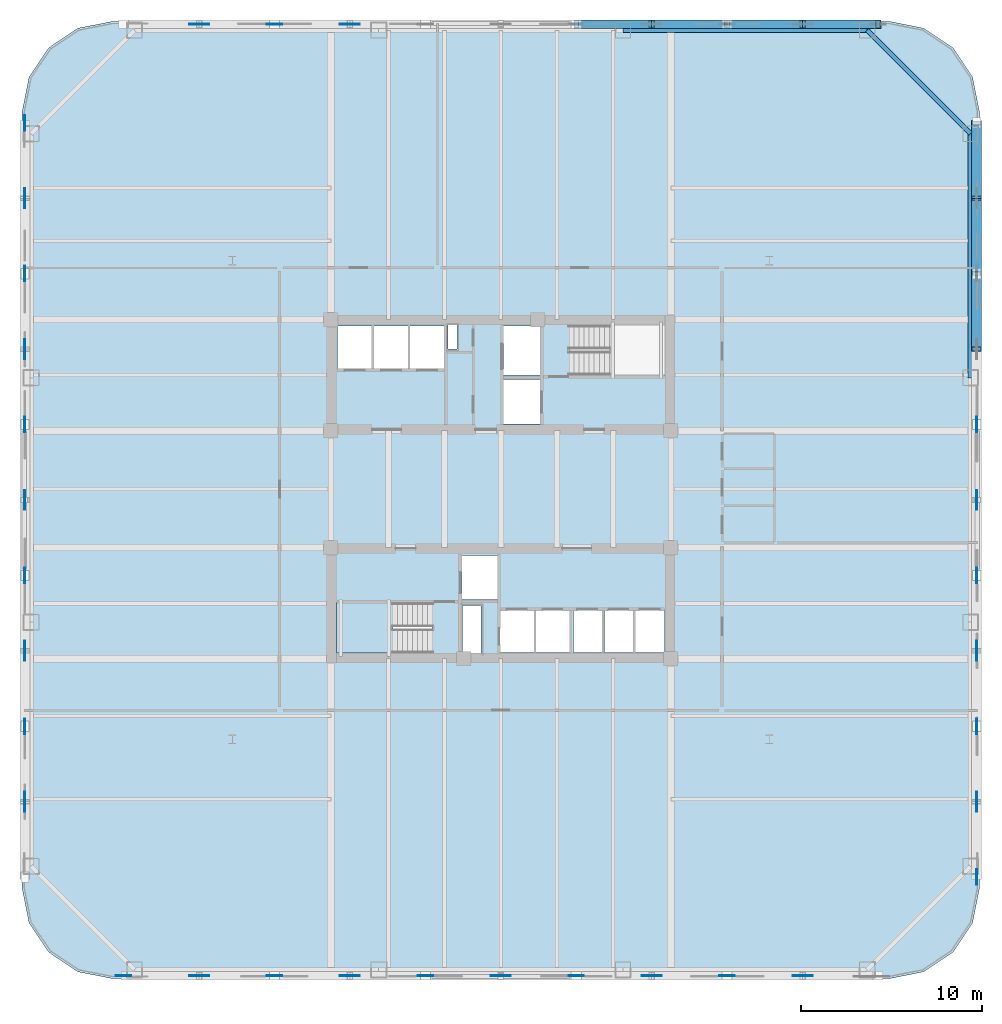
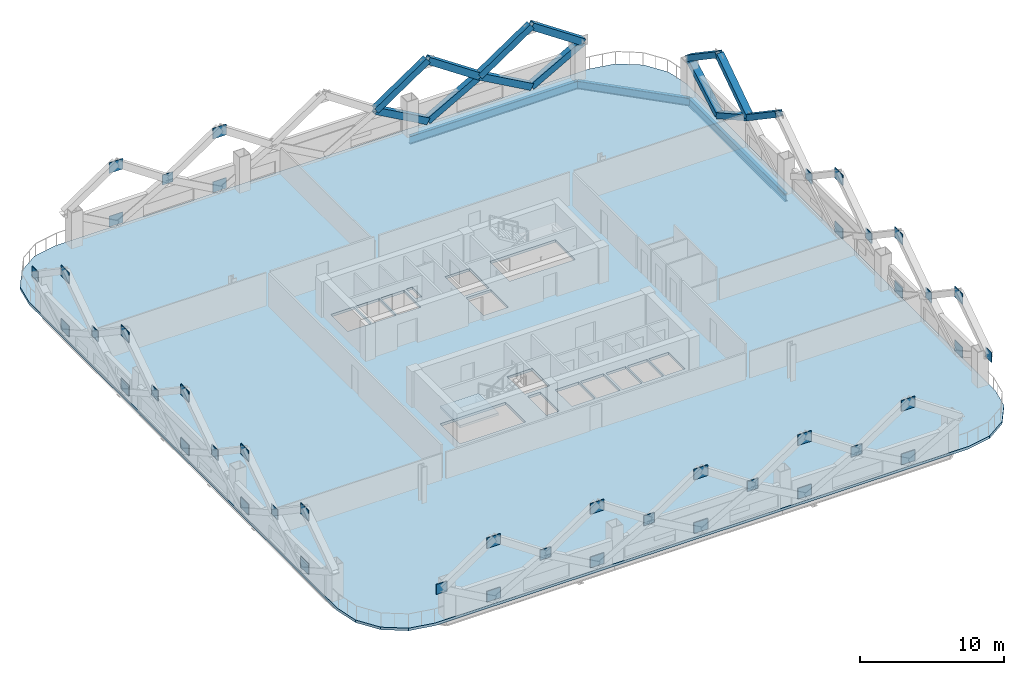
# One storey, part 3 of 13: 45 plates, 13 members, 3 beams, 2 slabs, 1 element without a shape of its own.
"""IFC4 building model written with IfcOpenShell, lengths in metres."""

from ifc_helpers import new_model, si_unit, direction, frame, origin, origin_2d, place, context, subcontext, project, spatial, polyline, rectangle, hollow_rectangle, i_section, outline, extrude, material, layer, layer_set, material_profile, profile_set, type_object, element, aggregate, save


model = new_model("IFC4")

# Units and contexts
model_context = context("Model", 3, precision=1e-05, world=origin(), true_north=direction((0.0, 1.0)))
body_context = subcontext(model_context, "Body", "Model", "MODEL_VIEW")
ifc_project = project(units=[si_unit("LENGTHUNIT", "METRE"), si_unit("AREAUNIT", "SQUARE_METRE"), si_unit("VOLUMEUNIT", "CUBIC_METRE"), si_unit("PLANEANGLEUNIT", "RADIAN"), si_unit("MASSUNIT", "GRAM", prefix="KILO")], contexts=[model_context])

# Site, building, storey
site_placement = place(None, origin())
site = spatial("IfcSite", under=ifc_project, at=site_placement, CompositionType="ELEMENT")
building_placement = place(site_placement, origin())
building = spatial("IfcBuilding", under=site, at=building_placement, Name="Qhalaya Broadcast Tower", CompositionType="ELEMENT")
storey_placement = place(building_placement, frame((0.0, 0.0, 32.199951171875)))
storey = spatial("IfcBuildingStorey", under=building, at=storey_placement, Name="L08", CompositionType="ELEMENT", Elevation=32.199951171875)

# Members
ifc_material_1 = material(Name="Structural Steel ASTM A572 Grade 50", Category="steel")
ifc_material_profile_1 = material_profile(ifc_material_1, hollow_rectangle(XDim=0.449951171875, YDim=0.550048828125, WallThickness=0.031982421875, at=origin_2d()), Name="BOX 450x550x32")
ifc_profile_set_1 = profile_set([ifc_material_profile_1], Name="Structural Steel ASTM A572 Grade 50")
member_type = type_object("IfcMemberType", Name="Exoskeleton Diamond Diagonal Lower EX1", PredefinedType="BRACE", material=ifc_profile_set_1)
member_1_placement = place(storey_placement, frame((26.239990234375, 12.47998046875, 2.68994140625), z_axis=(0.0, -0.828652985792, 0.559762654291), x_axis=(0.0, 0.559762654291, 0.828652985792)))
element("IfcMember", 1, at=member_1_placement, inside=storey, type_object=member_type, Name="B1 Exoskeleton Diamond Brace E4-D4", PredefinedType="BRACE", context=body_context, shape_type="SweptSolid", body=[
    extrude(hollow_rectangle(XDim=0.449951171875, YDim=0.550048828125, WallThickness=0.031982421875, at=origin_2d()), origin(), (0.0, 0.0, 1.0), 5.02001953125),
])
member_2_placement = place(storey_placement, frame((26.239990234375, 16.639892578125, 0.360107421875), z_axis=(0.0, -0.872480692977, 0.488648585778), x_axis=(0.0, 0.488648585778, 0.872480692977)))
element("IfcMember", 2, at=member_2_placement, inside=storey, type_object=member_type, Name="B1 Exoskeleton Diamond Brace E5-D1", PredefinedType="BRACE", context=body_context, shape_type="SweptSolid", body=[
    extrude(hollow_rectangle(XDim=0.449951171875, YDim=0.550048828125, WallThickness=0.031982421875, at=origin_2d()), origin(), (0.0, 0.0, 1.0), 4.767822265625),
])
member_3_placement = place(storey_placement, frame((26.239990234375, 16.639892578125, 0.360107421875), z_axis=(0.0, 0.872492918738, 0.488626756075), x_axis=(0.0, -0.488626756075, 0.872492918738)))
element("IfcMember", 3, at=member_3_placement, inside=storey, type_object=member_type, Name="B1 Exoskeleton Diamond Brace E5-D2", PredefinedType="BRACE", context=body_context, shape_type="SweptSolid", body=[
    extrude(hollow_rectangle(XDim=0.449951171875, YDim=0.550048828125, WallThickness=0.031982421875, at=origin_2d()), origin(), (0.0, 0.0, 1.0), 4.76806640625),
])
member_4_placement = place(storey_placement, frame((26.239990234375, 12.47998046875, 2.68994140625), z_axis=(0.0, 0.828652985792, 0.559762654291), x_axis=(0.0, -0.559762654291, 0.828652985792)))
element("IfcMember", 4, at=member_4_placement, inside=storey, type_object=member_type, Name="B1 Exoskeleton Diamond Brace E5-D3", PredefinedType="BRACE", context=body_context, shape_type="SweptSolid", body=[
    extrude(hollow_rectangle(XDim=0.449951171875, YDim=0.550048828125, WallThickness=0.031982421875, at=origin_2d()), origin(), (0.0, 0.0, 1.0), 5.02001953125),
])
member_5_placement = place(storey_placement, frame((26.239990234375, 20.800048828125, 2.68994140625), z_axis=(0.0, -0.828668223168, 0.559740096752), x_axis=(0.0, 0.559740096752, 0.828668223168)))
element("IfcMember", 5, at=member_5_placement, inside=storey, type_object=member_type, Name="B1 Exoskeleton Diamond Brace E5-D4", PredefinedType="BRACE", context=body_context, shape_type="SweptSolid", body=[
    extrude(hollow_rectangle(XDim=0.449951171875, YDim=0.550048828125, WallThickness=0.031982421875, at=origin_2d()), origin(), (0.0, 0.0, 1.0), 5.020263671875),
])
member_6_placement = place(storey_placement, frame((16.639892578125, 26.239990234375, 0.360107421875), z_axis=(0.872492918738, 0.0, 0.488626756075), x_axis=(0.0, 1.0, 0.0)))
element("IfcMember", 6, at=member_6_placement, inside=storey, type_object=member_type, Name="B1 Exoskeleton Diamond Brace N1-D1", PredefinedType="BRACE", context=body_context, shape_type="SweptSolid", body=[
    extrude(hollow_rectangle(XDim=0.449951171875, YDim=0.550048828125, WallThickness=0.031982421875, at=origin_2d()), origin(), (0.0, 0.0, 1.0), 4.76806640625),
])
member_7_placement = place(storey_placement, frame((16.639892578125, 26.239990234375, 0.360107421875), z_axis=(-0.872480692977, 0.0, 0.488648585778), x_axis=(0.0, -1.0, 0.0)))
element("IfcMember", 7, at=member_7_placement, inside=storey, type_object=member_type, Name="B1 Exoskeleton Diamond Brace N1-D2", PredefinedType="BRACE", context=body_context, shape_type="SweptSolid", body=[
    extrude(hollow_rectangle(XDim=0.449951171875, YDim=0.550048828125, WallThickness=0.031982421875, at=origin_2d()), origin(), (0.0, 0.0, 1.0), 4.767822265625),
])
member_8_placement = place(storey_placement, frame((20.800048828125, 26.239990234375, 2.68994140625), z_axis=(-0.828668223168, 0.0, 0.559740096752), x_axis=(0.0, -1.0, 0.0)))
element("IfcMember", 8, at=member_8_placement, inside=storey, type_object=member_type, Name="B1 Exoskeleton Diamond Brace N1-D3", PredefinedType="BRACE", context=body_context, shape_type="SweptSolid", body=[
    extrude(hollow_rectangle(XDim=0.449951171875, YDim=0.550048828125, WallThickness=0.031982421875, at=origin_2d()), origin(), (0.0, 0.0, 1.0), 5.020263671875),
])
member_9_placement = place(storey_placement, frame((12.47998046875, 26.239990234375, 2.68994140625), z_axis=(0.828652985792, 0.0, 0.559762654291), x_axis=(0.0, 1.0, 0.0)))
element("IfcMember", 9, at=member_9_placement, inside=storey, type_object=member_type, Name="B1 Exoskeleton Diamond Brace N1-D4", PredefinedType="BRACE", context=body_context, shape_type="SweptSolid", body=[
    extrude(hollow_rectangle(XDim=0.449951171875, YDim=0.550048828125, WallThickness=0.031982421875, at=origin_2d()), origin(), (0.0, 0.0, 1.0), 5.02001953125),
])
member_10_placement = place(storey_placement, frame((8.320068359375, 26.239990234375, 0.360107421875), z_axis=(0.872480692977, 0.0, 0.488648585778), x_axis=(0.0, 1.0, 0.0)))
element("IfcMember", 10, at=member_10_placement, inside=storey, type_object=member_type, Name="B1 Exoskeleton Diamond Brace N2-D1", PredefinedType="BRACE", context=body_context, shape_type="SweptSolid", body=[
    extrude(hollow_rectangle(XDim=0.449951171875, YDim=0.550048828125, WallThickness=0.031982421875, at=origin_2d()), origin(), (0.0, 0.0, 1.0), 4.767822265625),
])
member_11_placement = place(storey_placement, frame((8.320068359375, 26.239990234375, 0.360107421875), z_axis=(-0.872492918738, 0.0, 0.488626756075), x_axis=(0.0, -1.0, 0.0)))
element("IfcMember", 11, at=member_11_placement, inside=storey, type_object=member_type, Name="B1 Exoskeleton Diamond Brace N2-D2", PredefinedType="BRACE", context=body_context, shape_type="SweptSolid", body=[
    extrude(hollow_rectangle(XDim=0.449951171875, YDim=0.550048828125, WallThickness=0.031982421875, at=origin_2d()), origin(), (0.0, 0.0, 1.0), 4.76806640625),
])
member_12_placement = place(storey_placement, frame((12.47998046875, 26.239990234375, 2.68994140625), z_axis=(-0.828652985792, 0.0, 0.559762654291), x_axis=(0.0, -1.0, 0.0)))
element("IfcMember", 12, at=member_12_placement, inside=storey, type_object=member_type, Name="B1 Exoskeleton Diamond Brace N2-D3", PredefinedType="BRACE", context=body_context, shape_type="SweptSolid", body=[
    extrude(hollow_rectangle(XDim=0.449951171875, YDim=0.550048828125, WallThickness=0.031982421875, at=origin_2d()), origin(), (0.0, 0.0, 1.0), 5.02001953125),
])
member_13_placement = place(storey_placement, frame((4.159912109375, 26.239990234375, 2.68994140625), z_axis=(0.828668223168, 0.0, 0.559740096752), x_axis=(0.0, 1.0, 0.0)))
element("IfcMember", 13, at=member_13_placement, inside=storey, type_object=member_type, Name="B1 Exoskeleton Diamond Brace N2-D4", PredefinedType="BRACE", context=body_context, shape_type="SweptSolid", body=[
    extrude(hollow_rectangle(XDim=0.449951171875, YDim=0.550048828125, WallThickness=0.031982421875, at=origin_2d()), origin(), (0.0, 0.0, 1.0), 5.020263671875),
])

# Beams
ifc_material_2 = material(Name="Structural Steel ASTM A992 Grade 50", Category="steel")
ifc_material_profile_2 = material_profile(ifc_material_2, i_section(OverallWidth=0.25390625, OverallDepth=0.68310546875, WebThickness=0.012451171875, FlangeThickness=0.01904296875, at=origin_2d()), Name="W27X94")
ifc_profile_set_2 = profile_set([ifc_material_profile_2], Name="Structural Steel ASTM A992 Grade 50")
beam_type = type_object("IfcBeamType", Name="Perimeter Ring Spandrel Beam SP1", PredefinedType="SPANDREL", material=ifc_profile_set_2)
beam_1_placement = place(storey_placement, frame((25.89990234375, 6.7333984375, -0.5615234375), z_axis=(0.0, 1.0, 0.0), x_axis=(-1.0, 0.0, 0.0)))
element("IfcBeam", 14, at=beam_1_placement, inside=storey, type_object=beam_type, Name="L08 SP1 L08-SPR-07", PredefinedType="SPANDREL", context=body_context, shape_type="SweptSolid", body=[
    extrude(i_section(OverallWidth=0.25390625, OverallDepth=0.68310546875, WebThickness=0.012451171875, FlangeThickness=0.01904296875, at=origin_2d()), origin(), (0.0, 0.0, 1.0), 13.466552734375),
])
beam_2_placement = place(storey_placement, frame((25.89990234375, 20.199951171875, -0.5615234375), z_axis=(-0.707106781187, 0.707106781187, 0.0), x_axis=(-0.707106781187, -0.707106781187, 0.0)))
element("IfcBeam", 15, at=beam_2_placement, inside=storey, type_object=beam_type, Name="L08 SP1 L08-SPR-08", PredefinedType="SPANDREL", context=body_context, shape_type="SweptSolid", body=[
    extrude(i_section(OverallWidth=0.25390625, OverallDepth=0.68310546875, WebThickness=0.012451171875, FlangeThickness=0.01904296875, at=origin_2d()), origin(), (0.0, 0.0, 1.0), 8.06103515625),
])
beam_3_placement = place(storey_placement, frame((20.199951171875, 25.89990234375, -0.5615234375), z_axis=(-1.0, 0.0, 0.0), x_axis=(0.0, -1.0, 0.0)))
element("IfcBeam", 16, at=beam_3_placement, inside=storey, type_object=beam_type, Name="L08 SP1 L08-SPR-09", PredefinedType="SPANDREL", context=body_context, shape_type="SweptSolid", body=[
    extrude(i_section(OverallWidth=0.25390625, OverallDepth=0.68310546875, WebThickness=0.012451171875, FlangeThickness=0.01904296875, at=origin_2d()), origin(), (0.0, 0.0, 1.0), 13.466552734375),
])

# Plates
ifc_layer_1 = layer(ifc_material_1, 0.054931640625, Name="Structural Steel ASTM A572 Grade 50")
ifc_layer_set_1 = layer_set([ifc_layer_1], Name="Structural Steel ASTM A572 Grade 50")
plate_type = type_object("IfcPlateType", Name="Exoskeleton Diamond Node Gusset Plate NP-01", PredefinedType="USERDEFINED", material=ifc_layer_set_1)
for number, where, z_axis, x_axis, name in (
    (17, (-16.639892578125, -26.239990234375, 0.210205078125), (0.0, 0.0, 1.0), (1.0, 0.0, 0.0), "Exoskeleton Diamond Node B1-S1-BOT"),
    (18, (-16.639892578125, -26.239990234375, 4.75), (0.0, 0.0, 1.0), (1.0, 0.0, 0.0), "Exoskeleton Diamond Node B1-S1-TOP"),
):
    element("IfcPlate", number, at=place(storey_placement, frame(where, z_axis=z_axis, x_axis=x_axis)), inside=storey, type_object=plate_type, Name=name, ObjectType="GUSSET_PLATE", PredefinedType="USERDEFINED", context=body_context, shape_type="SweptSolid", body=[
        extrude(rectangle(XDim=1.10009765625, YDim=0.054931640625, at=origin_2d()), origin(), (0.0, 0.0, 1.0), 0.89990234375),
    ])
plate_1_placement = place(storey_placement, frame((-20.800048828125, -26.239990234375, 2.264892578125), z_axis=(0.0, 0.0, 1.0), x_axis=(1.0, 0.0, 0.0)))
element("IfcPlate", 19, at=plate_1_placement, inside=storey, type_object=plate_type, Name="Exoskeleton Diamond Node B1-S1-MDL", ObjectType="GUSSET_PLATE", PredefinedType="USERDEFINED", context=body_context, shape_type="SweptSolid", body=[
    extrude(rectangle(XDim=0.85009765625, YDim=0.054931640625, at=origin_2d()), origin(), (0.0, 0.0, 1.0), 0.85009765625),
])
for number, where, z_axis, x_axis, name in (
    (20, (-8.320068359375, -26.239990234375, 0.210205078125), (0.0, 0.0, 1.0), (1.0, 0.0, 0.0), "Exoskeleton Diamond Node B1-S2-BOT"),
    (21, (-8.320068359375, -26.239990234375, 4.75), (0.0, 0.0, 1.0), (1.0, 0.0, 0.0), "Exoskeleton Diamond Node B1-S2-TOP"),
):
    element("IfcPlate", number, at=place(storey_placement, frame(where, z_axis=z_axis, x_axis=x_axis)), inside=storey, type_object=plate_type, Name=name, ObjectType="GUSSET_PLATE", PredefinedType="USERDEFINED", context=body_context, shape_type="SweptSolid", body=[
        extrude(rectangle(XDim=1.10009765625, YDim=0.054931640625, at=origin_2d()), origin(), (0.0, 0.0, 1.0), 0.89990234375),
    ])
plate_2_placement = place(storey_placement, frame((-12.47998046875, -26.239990234375, 2.264892578125), z_axis=(0.0, 0.0, 1.0), x_axis=(1.0, 0.0, 0.0)))
element("IfcPlate", 22, at=plate_2_placement, inside=storey, type_object=plate_type, Name="Exoskeleton Diamond Node B1-S2-MDL", ObjectType="GUSSET_PLATE", PredefinedType="USERDEFINED", context=body_context, shape_type="SweptSolid", body=[
    extrude(rectangle(XDim=0.85009765625, YDim=0.054931640625, at=origin_2d()), origin(), (0.0, 0.0, 1.0), 0.85009765625),
])
for number, where, z_axis, x_axis, name in (
    (23, (0.0, -26.239990234375, 0.210205078125), (0.0, 0.0, 1.0), (1.0, 0.0, 0.0), "Exoskeleton Diamond Node B1-S3-BOT"),
    (24, (0.0, -26.239990234375, 4.75), (0.0, 0.0, 1.0), (1.0, 0.0, 0.0), "Exoskeleton Diamond Node B1-S3-TOP"),
):
    element("IfcPlate", number, at=place(storey_placement, frame(where, z_axis=z_axis, x_axis=x_axis)), inside=storey, type_object=plate_type, Name=name, ObjectType="GUSSET_PLATE", PredefinedType="USERDEFINED", context=body_context, shape_type="SweptSolid", body=[
        extrude(rectangle(XDim=1.10009765625, YDim=0.054931640625, at=origin_2d()), origin(), (0.0, 0.0, 1.0), 0.89990234375),
    ])
plate_3_placement = place(storey_placement, frame((-4.159912109375, -26.239990234375, 2.264892578125), z_axis=(0.0, 0.0, 1.0), x_axis=(1.0, 0.0, 0.0)))
element("IfcPlate", 25, at=plate_3_placement, inside=storey, type_object=plate_type, Name="Exoskeleton Diamond Node B1-S3-MDL", ObjectType="GUSSET_PLATE", PredefinedType="USERDEFINED", context=body_context, shape_type="SweptSolid", body=[
    extrude(rectangle(XDim=0.85009765625, YDim=0.054931640625, at=origin_2d()), origin(), (0.0, 0.0, 1.0), 0.85009765625),
])
for number, where, z_axis, x_axis, name in (
    (26, (8.320068359375, -26.239990234375, 0.210205078125), (0.0, 0.0, 1.0), (1.0, 0.0, 0.0), "Exoskeleton Diamond Node B1-S4-BOT"),
    (27, (8.320068359375, -26.239990234375, 4.75), (0.0, 0.0, 1.0), (1.0, 0.0, 0.0), "Exoskeleton Diamond Node B1-S4-TOP"),
):
    element("IfcPlate", number, at=place(storey_placement, frame(where, z_axis=z_axis, x_axis=x_axis)), inside=storey, type_object=plate_type, Name=name, ObjectType="GUSSET_PLATE", PredefinedType="USERDEFINED", context=body_context, shape_type="SweptSolid", body=[
        extrude(rectangle(XDim=1.10009765625, YDim=0.054931640625, at=origin_2d()), origin(), (0.0, 0.0, 1.0), 0.89990234375),
    ])
plate_4_placement = place(storey_placement, frame((4.159912109375, -26.239990234375, 2.264892578125), z_axis=(0.0, 0.0, 1.0), x_axis=(1.0, 0.0, 0.0)))
element("IfcPlate", 28, at=plate_4_placement, inside=storey, type_object=plate_type, Name="Exoskeleton Diamond Node B1-S4-MDL", ObjectType="GUSSET_PLATE", PredefinedType="USERDEFINED", context=body_context, shape_type="SweptSolid", body=[
    extrude(rectangle(XDim=0.85009765625, YDim=0.054931640625, at=origin_2d()), origin(), (0.0, 0.0, 1.0), 0.85009765625),
])
for number, where, z_axis, x_axis, name in (
    (29, (16.639892578125, -26.239990234375, 0.210205078125), (0.0, 0.0, 1.0), (1.0, 0.0, 0.0), "Exoskeleton Diamond Node B1-S5-BOT"),
    (30, (16.639892578125, -26.239990234375, 4.75), (0.0, 0.0, 1.0), (1.0, 0.0, 0.0), "Exoskeleton Diamond Node B1-S5-TOP"),
):
    element("IfcPlate", number, at=place(storey_placement, frame(where, z_axis=z_axis, x_axis=x_axis)), inside=storey, type_object=plate_type, Name=name, ObjectType="GUSSET_PLATE", PredefinedType="USERDEFINED", context=body_context, shape_type="SweptSolid", body=[
        extrude(rectangle(XDim=1.10009765625, YDim=0.054931640625, at=origin_2d()), origin(), (0.0, 0.0, 1.0), 0.89990234375),
    ])
plate_5_placement = place(storey_placement, frame((12.47998046875, -26.239990234375, 2.264892578125), z_axis=(0.0, 0.0, 1.0), x_axis=(1.0, 0.0, 0.0)))
element("IfcPlate", 31, at=plate_5_placement, inside=storey, type_object=plate_type, Name="Exoskeleton Diamond Node B1-S5-MDL", ObjectType="GUSSET_PLATE", PredefinedType="USERDEFINED", context=body_context, shape_type="SweptSolid", body=[
    extrude(rectangle(XDim=0.85009765625, YDim=0.054931640625, at=origin_2d()), origin(), (0.0, 0.0, 1.0), 0.85009765625),
])
for number, where, z_axis, x_axis, name in (
    (32, (26.239990234375, -16.639892578125, 0.210205078125), (0.0, 0.0, 1.0), (0.0, 1.0, 0.0), "Exoskeleton Diamond Node B1-E1-BOT"),
    (33, (26.239990234375, -16.639892578125, 4.75), (0.0, 0.0, 1.0), (0.0, 1.0, 0.0), "Exoskeleton Diamond Node B1-E1-TOP"),
):
    element("IfcPlate", number, at=place(storey_placement, frame(where, z_axis=z_axis, x_axis=x_axis)), inside=storey, type_object=plate_type, Name=name, ObjectType="GUSSET_PLATE", PredefinedType="USERDEFINED", context=body_context, shape_type="SweptSolid", body=[
        extrude(rectangle(XDim=1.10009765625, YDim=0.054931640625, at=origin_2d()), origin(), (0.0, 0.0, 1.0), 0.89990234375),
    ])
plate_6_placement = place(storey_placement, frame((26.239990234375, -20.800048828125, 2.264892578125), z_axis=(0.0, 0.0, 1.0), x_axis=(0.0, 1.0, 0.0)))
element("IfcPlate", 34, at=plate_6_placement, inside=storey, type_object=plate_type, Name="Exoskeleton Diamond Node B1-E1-MDL", ObjectType="GUSSET_PLATE", PredefinedType="USERDEFINED", context=body_context, shape_type="SweptSolid", body=[
    extrude(rectangle(XDim=0.85009765625, YDim=0.054931640625, at=origin_2d()), origin(), (0.0, 0.0, 1.0), 0.85009765625),
])
for number, where, z_axis, x_axis, name in (
    (35, (26.239990234375, -8.320068359375, 0.210205078125), (0.0, 0.0, 1.0), (0.0, 1.0, 0.0), "Exoskeleton Diamond Node B1-E2-BOT"),
    (36, (26.239990234375, -8.320068359375, 4.75), (0.0, 0.0, 1.0), (0.0, 1.0, 0.0), "Exoskeleton Diamond Node B1-E2-TOP"),
):
    element("IfcPlate", number, at=place(storey_placement, frame(where, z_axis=z_axis, x_axis=x_axis)), inside=storey, type_object=plate_type, Name=name, ObjectType="GUSSET_PLATE", PredefinedType="USERDEFINED", context=body_context, shape_type="SweptSolid", body=[
        extrude(rectangle(XDim=1.10009765625, YDim=0.054931640625, at=origin_2d()), origin(), (0.0, 0.0, 1.0), 0.89990234375),
    ])
plate_7_placement = place(storey_placement, frame((26.239990234375, -12.47998046875, 2.264892578125), z_axis=(0.0, 0.0, 1.0), x_axis=(0.0, 1.0, 0.0)))
element("IfcPlate", 37, at=plate_7_placement, inside=storey, type_object=plate_type, Name="Exoskeleton Diamond Node B1-E2-MDL", ObjectType="GUSSET_PLATE", PredefinedType="USERDEFINED", context=body_context, shape_type="SweptSolid", body=[
    extrude(rectangle(XDim=0.85009765625, YDim=0.054931640625, at=origin_2d()), origin(), (0.0, 0.0, 1.0), 0.85009765625),
])
for number, where, z_axis, x_axis, name in (
    (38, (26.239990234375, 0.0, 0.210205078125), (0.0, 0.0, 1.0), (0.0, 1.0, 0.0), "Exoskeleton Diamond Node B1-E3-BOT"),
    (39, (26.239990234375, 0.0, 4.75), (0.0, 0.0, 1.0), (0.0, 1.0, 0.0), "Exoskeleton Diamond Node B1-E3-TOP"),
):
    element("IfcPlate", number, at=place(storey_placement, frame(where, z_axis=z_axis, x_axis=x_axis)), inside=storey, type_object=plate_type, Name=name, ObjectType="GUSSET_PLATE", PredefinedType="USERDEFINED", context=body_context, shape_type="SweptSolid", body=[
        extrude(rectangle(XDim=1.10009765625, YDim=0.054931640625, at=origin_2d()), origin(), (0.0, 0.0, 1.0), 0.89990234375),
    ])
for number, where, z_axis, x_axis, name in (
    (40, (26.239990234375, -4.159912109375, 2.264892578125), (0.0, 0.0, 1.0), (0.0, 1.0, 0.0), "Exoskeleton Diamond Node B1-E3-MDL"),
    (41, (26.239990234375, 4.159912109375, 2.264892578125), (0.0, 0.0, 1.0), (0.0, 1.0, 0.0), "Exoskeleton Diamond Node B1-E4-MDL"),
):
    element("IfcPlate", number, at=place(storey_placement, frame(where, z_axis=z_axis, x_axis=x_axis)), inside=storey, type_object=plate_type, Name=name, ObjectType="GUSSET_PLATE", PredefinedType="USERDEFINED", context=body_context, shape_type="SweptSolid", body=[
        extrude(rectangle(XDim=0.85009765625, YDim=0.054931640625, at=origin_2d()), origin(), (0.0, 0.0, 1.0), 0.85009765625),
    ])
for number, where, z_axis, x_axis, name in (
    (42, (-8.320068359375, 26.239990234375, 0.210205078125), (0.0, 0.0, 1.0), (1.0, 0.0, 0.0), "Exoskeleton Diamond Node B1-N4-BOT"),
    (43, (-8.320068359375, 26.239990234375, 4.75), (0.0, 0.0, 1.0), (1.0, 0.0, 0.0), "Exoskeleton Diamond Node B1-N4-TOP"),
    (44, (-16.639892578125, 26.239990234375, 0.210205078125), (0.0, 0.0, 1.0), (1.0, 0.0, 0.0), "Exoskeleton Diamond Node B1-N5-BOT"),
    (45, (-16.639892578125, 26.239990234375, 4.75), (0.0, 0.0, 1.0), (1.0, 0.0, 0.0), "Exoskeleton Diamond Node B1-N5-TOP"),
):
    element("IfcPlate", number, at=place(storey_placement, frame(where, z_axis=z_axis, x_axis=x_axis)), inside=storey, type_object=plate_type, Name=name, ObjectType="GUSSET_PLATE", PredefinedType="USERDEFINED", context=body_context, shape_type="SweptSolid", body=[
        extrude(rectangle(XDim=1.10009765625, YDim=0.054931640625, at=origin_2d()), origin(), (0.0, 0.0, 1.0), 0.89990234375),
    ])
plate_8_placement = place(storey_placement, frame((-12.47998046875, 26.239990234375, 2.264892578125), z_axis=(0.0, 0.0, 1.0), x_axis=(1.0, 0.0, 0.0)))
element("IfcPlate", 46, at=plate_8_placement, inside=storey, type_object=plate_type, Name="Exoskeleton Diamond Node B1-N5-MDL", ObjectType="GUSSET_PLATE", PredefinedType="USERDEFINED", context=body_context, shape_type="SweptSolid", body=[
    extrude(rectangle(XDim=0.85009765625, YDim=0.054931640625, at=origin_2d()), origin(), (0.0, 0.0, 1.0), 0.85009765625),
])
for number, where, z_axis, x_axis, name in (
    (47, (-26.239990234375, 16.639892578125, 0.210205078125), (0.0, 0.0, 1.0), (0.0, 1.0, 0.0), "Exoskeleton Diamond Node B1-W1-BOT"),
    (48, (-26.239990234375, 16.639892578125, 4.75), (0.0, 0.0, 1.0), (0.0, 1.0, 0.0), "Exoskeleton Diamond Node B1-W1-TOP"),
):
    element("IfcPlate", number, at=place(storey_placement, frame(where, z_axis=z_axis, x_axis=x_axis)), inside=storey, type_object=plate_type, Name=name, ObjectType="GUSSET_PLATE", PredefinedType="USERDEFINED", context=body_context, shape_type="SweptSolid", body=[
        extrude(rectangle(XDim=1.10009765625, YDim=0.054931640625, at=origin_2d()), origin(), (0.0, 0.0, 1.0), 0.89990234375),
    ])
plate_9_placement = place(storey_placement, frame((-26.239990234375, 20.800048828125, 2.264892578125), z_axis=(0.0, 0.0, 1.0), x_axis=(0.0, 1.0, 0.0)))
element("IfcPlate", 49, at=plate_9_placement, inside=storey, type_object=plate_type, Name="Exoskeleton Diamond Node B1-W1-MDL", ObjectType="GUSSET_PLATE", PredefinedType="USERDEFINED", context=body_context, shape_type="SweptSolid", body=[
    extrude(rectangle(XDim=0.85009765625, YDim=0.054931640625, at=origin_2d()), origin(), (0.0, 0.0, 1.0), 0.85009765625),
])
for number, where, z_axis, x_axis, name in (
    (50, (-26.239990234375, 8.320068359375, 0.210205078125), (0.0, 0.0, 1.0), (0.0, 1.0, 0.0), "Exoskeleton Diamond Node B1-W2-BOT"),
    (51, (-26.239990234375, 8.320068359375, 4.75), (0.0, 0.0, 1.0), (0.0, 1.0, 0.0), "Exoskeleton Diamond Node B1-W2-TOP"),
):
    element("IfcPlate", number, at=place(storey_placement, frame(where, z_axis=z_axis, x_axis=x_axis)), inside=storey, type_object=plate_type, Name=name, ObjectType="GUSSET_PLATE", PredefinedType="USERDEFINED", context=body_context, shape_type="SweptSolid", body=[
        extrude(rectangle(XDim=1.10009765625, YDim=0.054931640625, at=origin_2d()), origin(), (0.0, 0.0, 1.0), 0.89990234375),
    ])
plate_10_placement = place(storey_placement, frame((-26.239990234375, 12.47998046875, 2.264892578125), z_axis=(0.0, 0.0, 1.0), x_axis=(0.0, 1.0, 0.0)))
element("IfcPlate", 52, at=plate_10_placement, inside=storey, type_object=plate_type, Name="Exoskeleton Diamond Node B1-W2-MDL", ObjectType="GUSSET_PLATE", PredefinedType="USERDEFINED", context=body_context, shape_type="SweptSolid", body=[
    extrude(rectangle(XDim=0.85009765625, YDim=0.054931640625, at=origin_2d()), origin(), (0.0, 0.0, 1.0), 0.85009765625),
])
for number, where, z_axis, x_axis, name in (
    (53, (-26.239990234375, 0.0, 0.210205078125), (0.0, 0.0, 1.0), (0.0, 1.0, 0.0), "Exoskeleton Diamond Node B1-W3-BOT"),
    (54, (-26.239990234375, 0.0, 4.75), (0.0, 0.0, 1.0), (0.0, 1.0, 0.0), "Exoskeleton Diamond Node B1-W3-TOP"),
):
    element("IfcPlate", number, at=place(storey_placement, frame(where, z_axis=z_axis, x_axis=x_axis)), inside=storey, type_object=plate_type, Name=name, ObjectType="GUSSET_PLATE", PredefinedType="USERDEFINED", context=body_context, shape_type="SweptSolid", body=[
        extrude(rectangle(XDim=1.10009765625, YDim=0.054931640625, at=origin_2d()), origin(), (0.0, 0.0, 1.0), 0.89990234375),
    ])
plate_11_placement = place(storey_placement, frame((-26.239990234375, 4.159912109375, 2.264892578125), z_axis=(0.0, 0.0, 1.0), x_axis=(0.0, 1.0, 0.0)))
element("IfcPlate", 55, at=plate_11_placement, inside=storey, type_object=plate_type, Name="Exoskeleton Diamond Node B1-W3-MDL", ObjectType="GUSSET_PLATE", PredefinedType="USERDEFINED", context=body_context, shape_type="SweptSolid", body=[
    extrude(rectangle(XDim=0.85009765625, YDim=0.054931640625, at=origin_2d()), origin(), (0.0, 0.0, 1.0), 0.85009765625),
])
for number, where, z_axis, x_axis, name in (
    (56, (-26.239990234375, -8.320068359375, 0.210205078125), (0.0, 0.0, 1.0), (0.0, 1.0, 0.0), "Exoskeleton Diamond Node B1-W4-BOT"),
    (57, (-26.239990234375, -8.320068359375, 4.75), (0.0, 0.0, 1.0), (0.0, 1.0, 0.0), "Exoskeleton Diamond Node B1-W4-TOP"),
):
    element("IfcPlate", number, at=place(storey_placement, frame(where, z_axis=z_axis, x_axis=x_axis)), inside=storey, type_object=plate_type, Name=name, ObjectType="GUSSET_PLATE", PredefinedType="USERDEFINED", context=body_context, shape_type="SweptSolid", body=[
        extrude(rectangle(XDim=1.10009765625, YDim=0.054931640625, at=origin_2d()), origin(), (0.0, 0.0, 1.0), 0.89990234375),
    ])
plate_12_placement = place(storey_placement, frame((-26.239990234375, -4.159912109375, 2.264892578125), z_axis=(0.0, 0.0, 1.0), x_axis=(0.0, 1.0, 0.0)))
element("IfcPlate", 58, at=plate_12_placement, inside=storey, type_object=plate_type, Name="Exoskeleton Diamond Node B1-W4-MDL", ObjectType="GUSSET_PLATE", PredefinedType="USERDEFINED", context=body_context, shape_type="SweptSolid", body=[
    extrude(rectangle(XDim=0.85009765625, YDim=0.054931640625, at=origin_2d()), origin(), (0.0, 0.0, 1.0), 0.85009765625),
])
for number, where, z_axis, x_axis, name in (
    (59, (-26.239990234375, -16.639892578125, 0.210205078125), (0.0, 0.0, 1.0), (0.0, 1.0, 0.0), "Exoskeleton Diamond Node B1-W5-BOT"),
    (60, (-26.239990234375, -16.639892578125, 4.75), (0.0, 0.0, 1.0), (0.0, 1.0, 0.0), "Exoskeleton Diamond Node B1-W5-TOP"),
):
    element("IfcPlate", number, at=place(storey_placement, frame(where, z_axis=z_axis, x_axis=x_axis)), inside=storey, type_object=plate_type, Name=name, ObjectType="GUSSET_PLATE", PredefinedType="USERDEFINED", context=body_context, shape_type="SweptSolid", body=[
        extrude(rectangle(XDim=1.10009765625, YDim=0.054931640625, at=origin_2d()), origin(), (0.0, 0.0, 1.0), 0.89990234375),
    ])
plate_13_placement = place(storey_placement, frame((-26.239990234375, -12.47998046875, 2.264892578125), z_axis=(0.0, 0.0, 1.0), x_axis=(0.0, 1.0, 0.0)))
element("IfcPlate", 61, at=plate_13_placement, inside=storey, type_object=plate_type, Name="Exoskeleton Diamond Node B1-W5-MDL", ObjectType="GUSSET_PLATE", PredefinedType="USERDEFINED", context=body_context, shape_type="SweptSolid", body=[
    extrude(rectangle(XDim=0.85009765625, YDim=0.054931640625, at=origin_2d()), origin(), (0.0, 0.0, 1.0), 0.85009765625),
])

# Stair, slab
ifc_material_3 = material(Name="Concrete C40/50", Category="concrete")
stair_type = type_object("IfcStairType", Name="Protected Dogleg Core Stair 3150", PredefinedType="TWO_STRAIGHT_RUN_STAIR", material=ifc_material_3)
stair_placement = place(storey_placement, origin())
stair = element("IfcStair", 62, at=stair_placement, inside=storey, type_object=stair_type, Name="L08 South Core Exit Stair ST-2", PredefinedType="TWO_STRAIGHT_RUN_STAIR")
ifc_layer_2 = layer(ifc_material_3, 0.199951171875, Name="Concrete C40/50")
ifc_layer_set_2 = layer_set([ifc_layer_2], Name="Concrete C40/50")
slab_type_1 = type_object("IfcSlabType", Name="Stair & Ramp Half-Landing Slab 200", PredefinedType="LANDING", material=ifc_layer_set_2)
slab_1_placement = place(storey_placement, frame((0.0, 0.0, 1.324951171875)))
slab_1 = element("IfcSlab", 63, at=slab_1_placement, type_object=slab_type_1, Name="ST-2 landing 1", PredefinedType="LANDING", context=body_context, shape_type="SweptSolid", body=[
    extrude(outline(polyline([(-5.955078125, -5.679931640625), (-9.050048828125, -5.679931640625), (-9.050048828125, -8.43994140625), (-5.955078125, -8.43994140625), (-5.955078125, -5.679931640625)])), origin(), (0.0, 0.0, 1.0), 0.2001953125),
])
aggregate(stair, [slab_1])

# Slab
ifc_layer_3 = layer(ifc_material_3, 0.219970703125, Name="Concrete C40/50")
ifc_layer_set_3 = layer_set([ifc_layer_3], Name="Concrete C40/50")
slab_type_2 = type_object("IfcSlabType", Name="Tower Composite Floor Slab 220", PredefinedType="FLOOR", material=ifc_layer_set_3)
slab_2_placement = place(storey_placement, frame((0.0, 0.0, -0.219970703125)))
element("IfcSlab", 64, at=slab_2_placement, inside=storey, type_object=slab_type_2, Name="L08 Main Structural Floor Slab", PredefinedType="FLOOR", context=body_context, shape_type="SweptSolid", body=[
    extrude(outline(polyline([(21.39990234375, -26.39990234375), (23.3134765625, -26.019287109375), (24.935546875, -24.935546875), (26.019287109375, -23.3134765625), (26.39990234375, -21.39990234375), (26.39990234375, 21.39990234375), (26.019287109375, 23.3134765625), (24.935546875, 24.935546875), (23.3134765625, 26.019287109375), (21.39990234375, 26.39990234375), (-21.39990234375, 26.39990234375), (-23.3134765625, 26.019287109375), (-24.935546875, 24.935546875), (-26.019287109375, 23.3134765625), (-26.39990234375, 21.39990234375), (-26.39990234375, -21.39990234375), (-26.019287109375, -23.3134765625), (-24.935546875, -24.935546875), (-23.3134765625, -26.019287109375), (-21.39990234375, -26.39990234375), (21.39990234375, -26.39990234375)]), holes=[polyline([(3.784912109375, 9.639892578125), (9.050048828125, 9.639892578125), (9.050048828125, 6.8798828125), (3.784912109375, 6.8798828125), (3.784912109375, 9.639892578125)]), polyline([(-3.784912109375, -8.43994140625), (-9.050048828125, -8.43994140625), (-9.050048828125, -5.679931640625), (-3.784912109375, -5.679931640625), (-3.784912109375, -8.43994140625)]), polyline([(0.14990234375, 6.64990234375), (2.14990234375, 6.64990234375), (2.14990234375, 4.199951171875), (0.14990234375, 4.199951171875), (0.14990234375, 6.64990234375)]), polyline([(0.14990234375, 9.60009765625), (2.14990234375, 9.60009765625), (2.14990234375, 6.89990234375), (0.14990234375, 6.89990234375), (0.14990234375, 9.60009765625)]), polyline([(-2.14990234375, -3.050048828125), (-0.14990234375, -3.050048828125), (-0.14990234375, -5.5), (-2.14990234375, -5.5), (-2.14990234375, -3.050048828125)]), polyline([(-9.0, 9.60009765625), (-7.1201171875, 9.60009765625), (-7.1201171875, 7.25), (-9.0, 7.25), (-9.0, 9.60009765625)]), polyline([(-7.0, 9.60009765625), (-5.1201171875, 9.60009765625), (-5.1201171875, 7.25), (-7.0, 7.25), (-7.0, 9.60009765625)]), polyline([(-5.0, 9.60009765625), (-3.1201171875, 9.60009765625), (-3.1201171875, 7.25), (-5.0, 7.25), (-5.0, 9.60009765625)]), polyline([(-0.050048828125, -6.10009765625), (1.830078125, -6.10009765625), (1.830078125, -8.39990234375), (-0.050048828125, -8.39990234375), (-0.050048828125, -6.10009765625)]), polyline([(1.949951171875, -6.10009765625), (3.830078125, -6.10009765625), (3.830078125, -8.39990234375), (1.949951171875, -8.39990234375), (1.949951171875, -6.10009765625)]), polyline([(4.0, -6.10009765625), (5.60009765625, -6.10009765625), (5.60009765625, -8.39990234375), (4.0, -8.39990234375), (4.0, -6.10009765625)]), polyline([(5.719970703125, -6.10009765625), (7.320068359375, -6.10009765625), (7.320068359375, -8.39990234375), (5.719970703125, -8.39990234375), (5.719970703125, -6.10009765625)]), polyline([(7.43994140625, -6.10009765625), (9.0400390625, -6.10009765625), (9.0400390625, -8.39990234375), (7.43994140625, -8.39990234375), (7.43994140625, -6.10009765625)]), polyline([(-2.919921875, 9.659912109375), (-2.419921875, 9.659912109375), (-2.419921875, 8.320068359375), (-2.919921875, 8.320068359375), (-2.919921875, 9.659912109375)]), polyline([(-2.1201171875, -5.820068359375), (-1.080078125, -5.820068359375), (-1.080078125, -8.4599609375), (-2.1201171875, -8.4599609375), (-2.1201171875, -5.820068359375)])]), origin(), (0.0, 0.0, 1.0), 0.219970703125),
])

save(model, "model.ifc")
